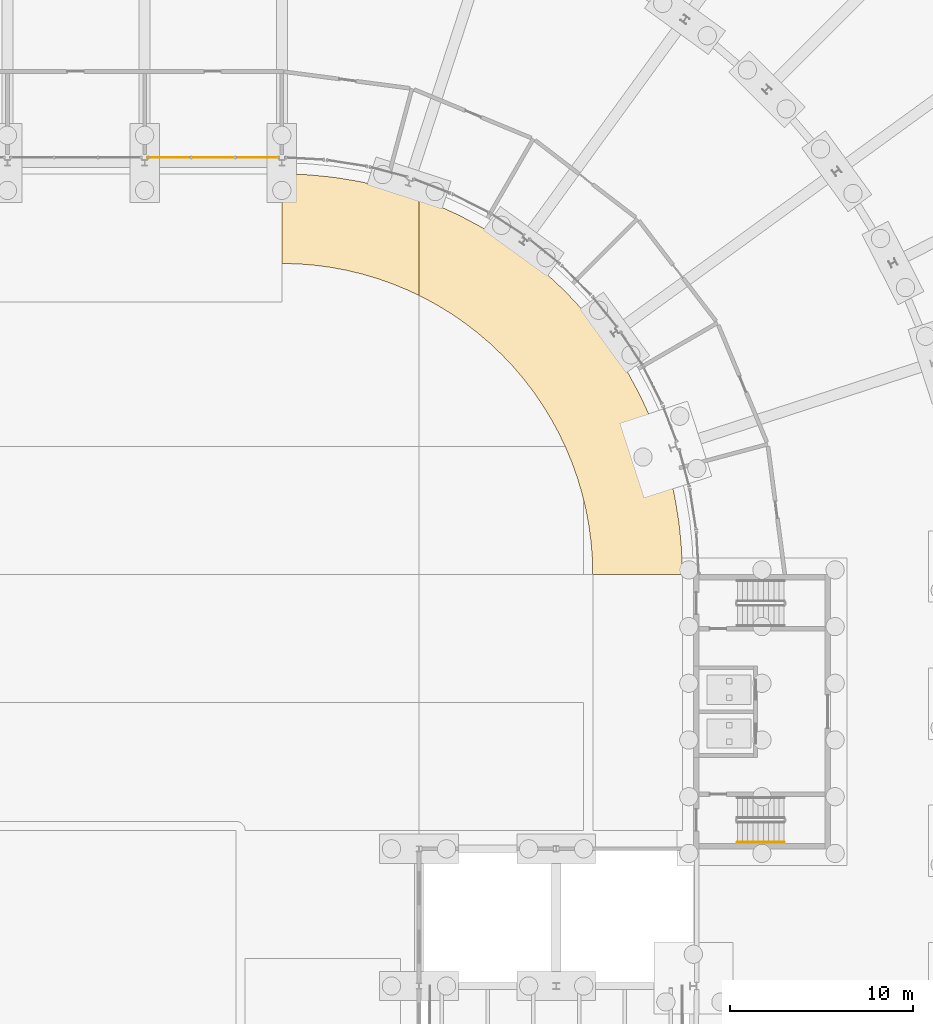
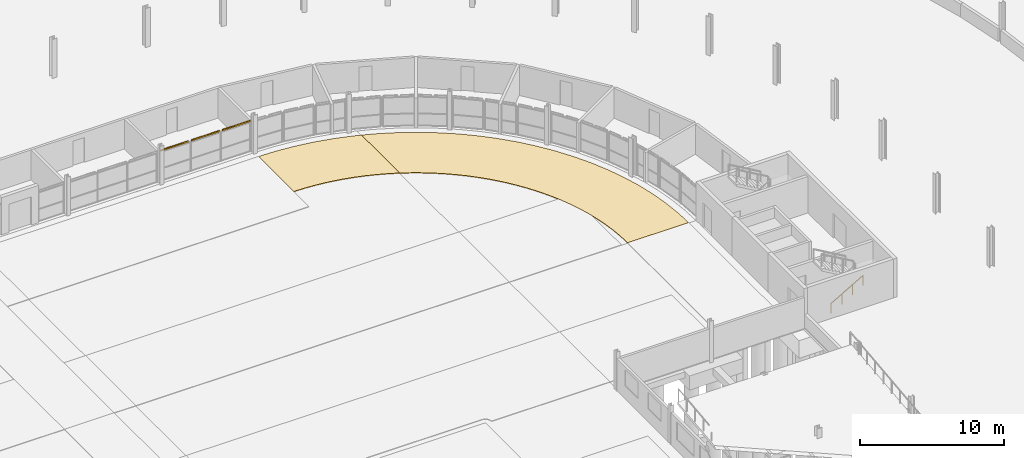
# One storey, part 123 of 130: 5 coverings, 1 railing.
"""IFC4 building model written with IfcOpenShell, lengths in metres."""

import ifcopenshell
import ifcopenshell.guid

model = None  # the IFC model being written
_history = None  # IfcOwnerHistory: only IFC2X3 demands one
_inside = {}  # id of a spatial element -> (the spatial element, [elements in it])
_under = {}  # id of a project, library or spatial element -> (it, [spatial elements below it])
_declared = {}  # id of a project -> (the project, [libraries it declares])
_typed = {}  # id of a type object -> (the type object, [elements of that type])
_made_of = {}  # id of a material, layer set ... -> (it, [elements and type objects made of it])


def new_model(schema):
    """Start an empty IFC model of exactly this schema.

    Asked for "IFC4X3", IfcOpenShell would pick the latest addendum, in which some entities
    have other attributes; the version numbers below select the first issue.
    IFC2X3 requires an IfcOwnerHistory on every rooted entity: one is made here for all.
    """
    global model, _history
    if schema == "IFC4X3":
        model = ifcopenshell.file(schema_version=(4, 3, 0, 0))
    else:
        model = ifcopenshell.file(schema=schema)
    _inside.clear()
    _under.clear()
    _declared.clear()
    _typed.clear()
    _made_of.clear()
    _history = None
    if model.schema == "IFC2X3":
        org = make("IfcOrganization", Name="unknown")
        user = make(
            "IfcPersonAndOrganization",
            ThePerson=make("IfcPerson", FamilyName="unknown"),
            TheOrganization=org,
        )
        app = make(
            "IfcApplication",
            ApplicationDeveloper=org,
            Version="unknown",
            ApplicationFullName="unknown",
            ApplicationIdentifier="unknown",
        )
        _history = make(
            "IfcOwnerHistory",
            OwningUser=user,
            OwningApplication=app,
            ChangeAction="ADDED",
            CreationDate=0,
        )
    return model


def make(cls, **values):
    """One entity of the class cls with the attributes given. An attribute that is None is left unset."""
    return model.create_entity(
        cls, **{name: value for name, value in values.items() if value is not None}
    )


def rooted(cls, **values):
    """An entity with a GlobalId (a new one), such as an element, a storey or a relation."""
    return make(cls, GlobalId=ifcopenshell.guid.new(), OwnerHistory=_history, **values)


def si_unit(unit_type, name, prefix=None):
    """IfcSIUnit, for example si_unit("LENGTHUNIT", "METRE", prefix="MILLI")."""
    return make("IfcSIUnit", UnitType=unit_type, Prefix=prefix, Name=name)


def assignment(units):
    """IfcUnitAssignment: the units of a project."""
    return None if units is None else make("IfcUnitAssignment", Units=units)


def point(xyz):
    """IfcCartesianPoint."""
    return None if xyz is None else make("IfcCartesianPoint", Coordinates=xyz)


def direction(xyz):
    """IfcDirection."""
    return None if xyz is None else make("IfcDirection", DirectionRatios=xyz)


def frame(location, z_axis=None, x_axis=None):
    """IfcAxis2Placement3D, a coordinate frame: its origin and axes. An axis left out is left unset."""
    return make(
        "IfcAxis2Placement3D",
        Location=point(location),
        Axis=direction(z_axis),
        RefDirection=direction(x_axis),
    )


def frame_2d(location, x_axis=None):
    """IfcAxis2Placement2D, a coordinate frame in the plane: its origin and x axis."""
    return make(
        "IfcAxis2Placement2D", Location=point(location), RefDirection=direction(x_axis)
    )


def origin():
    """The frame at (0, 0, 0) with its axes left unset."""
    return frame((0.0, 0.0, 0.0))


def origin_2d():
    """The frame at (0, 0) in the plane with its x axis left unset."""
    return frame_2d((0.0, 0.0))


def place(relative_to, where):
    """IfcLocalPlacement: puts the frame where relative to a parent placement (None: the world)."""
    return make(
        "IfcLocalPlacement", PlacementRelTo=relative_to, RelativePlacement=where
    )


def context(
    kind, dimensions, precision=None, world=None, true_north=None, identifier=None
):
    """IfcGeometricRepresentationContext, for example the 3D "Model" context."""
    return make(
        "IfcGeometricRepresentationContext",
        ContextIdentifier=identifier,
        ContextType=kind,
        CoordinateSpaceDimension=dimensions,
        Precision=precision,
        WorldCoordinateSystem=world,
        TrueNorth=true_north,
    )


def subcontext(parent, identifier, kind, view, scale=None):
    """IfcGeometricRepresentationSubContext, for example "Body" below "Model"."""
    return make(
        "IfcGeometricRepresentationSubContext",
        ContextIdentifier=identifier,
        ContextType=kind,
        ParentContext=parent,
        TargetScale=scale,
        TargetView=view,
    )


def project(units=None, contexts=None):
    """IfcProject with its units and contexts."""
    return rooted(
        "IfcProject",
        Name="project",
        RepresentationContexts=contexts,
        UnitsInContext=assignment(units),
    )


def spatial(cls, under=None, at=None, **own):
    """A site, building, storey or space (cls), placed at a placement, below another one or the project."""
    s = rooted(cls, ObjectPlacement=at, **own)
    if under is not None:
        _under.setdefault(under.id(), (under, []))[1].append(s)
    return s


def polyline(points):
    """IfcPolyline through the points."""
    return make("IfcPolyline", Points=[point(p) for p in points])


def profile(cls, at=None, kind="AREA", **sizes):
    """A parametric profile (cls). Its sizes go by their IFC names, for example OverallWidth=200.0."""
    return make(cls, ProfileType=kind, Position=at, **sizes)


def rectangle(**sizes):
    """IfcRectangleProfileDef."""
    return profile("IfcRectangleProfileDef", **sizes)


def circle(**sizes):
    """IfcCircleProfileDef."""
    return profile("IfcCircleProfileDef", **sizes)


def outline(outer, holes=None, kind="AREA"):
    """IfcArbitraryClosedProfileDef: a profile drawn as a closed curve; with holes, ...WithVoids."""
    if holes is None:
        return make("IfcArbitraryClosedProfileDef", ProfileType=kind, OuterCurve=outer)
    return make(
        "IfcArbitraryProfileDefWithVoids",
        ProfileType=kind,
        OuterCurve=outer,
        InnerCurves=holes,
    )


def extrude(swept, where, along, depth):
    """IfcExtrudedAreaSolid: the profile swept, set in the frame where, extruded along a direction by depth."""
    return make(
        "IfcExtrudedAreaSolid",
        SweptArea=swept,
        Position=where,
        ExtrudedDirection=direction(along),
        Depth=depth,
    )


def shape(context_of_items, identifier, shape_type, items):
    """IfcShapeRepresentation: the items that make up one representation, for example the "Body"."""
    return make(
        "IfcShapeRepresentation",
        ContextOfItems=context_of_items,
        RepresentationIdentifier=identifier,
        RepresentationType=shape_type,
        Items=items,
    )


def material(Name=None, Category=None):
    """IfcMaterial."""
    return make("IfcMaterial", Name=Name, Category=Category)


def layer(
    of_material, thickness, ventilated=None, Name=None, Category=None, Priority=None
):
    """IfcMaterialLayer: one layer of a wall or slab, of a material (None: an air gap)."""
    return make(
        "IfcMaterialLayer",
        Material=of_material,
        LayerThickness=thickness,
        IsVentilated=ventilated,
        Name=Name,
        Category=Category,
        Priority=Priority,
    )


def layer_set(layers, Name=None):
    """IfcMaterialLayerSet."""
    return make("IfcMaterialLayerSet", MaterialLayers=layers, LayerSetName=Name)


def made_of(thing, what):
    """Note that an element or type object is made of a material, layer set ...; save() writes the relation."""
    if what is not None:
        _made_of.setdefault(what.id(), (what, []))[1].append(thing)
    return thing


def type_object(cls, material=None, **own):
    """A type object (cls), such as IfcWallType, which elements share."""
    return made_of(rooted(cls, **own), material)


def element(
    cls,
    number,
    at=None,
    inside=None,
    cuts=None,
    type_object=None,
    material=None,
    context=None,
    identifier="Body",
    shape_type=None,
    held_by="IfcProductDefinitionShape",
    body=None,
    shapes=None,
    **own,
):
    """One element of the class cls, such as IfcWall. Its Tag is "e" and its number.

    at: its placement. inside: the storey or other place that contains it. cuts: it is an
    opening in that element (IfcRelVoidsElement). A single representation is given by context,
    identifier, shape_type and body (its items); several are given by shapes. held_by: the class
    of the entity that holds the representations. save() writes the other relations.
    """
    e = rooted(cls, Tag="e%d" % number, ObjectPlacement=at, **own)
    if body is not None:
        shapes = [shape(context, identifier, shape_type, body)]
    if shapes is not None:
        e.Representation = make(held_by, Representations=shapes)
    if inside is not None:
        _inside.setdefault(inside.id(), (inside, []))[1].append(e)
    if cuts is not None:
        rooted(
            "IfcRelVoidsElement", RelatingBuildingElement=cuts, RelatedOpeningElement=e
        )
    if type_object is not None:
        _typed.setdefault(type_object.id(), (type_object, []))[1].append(e)
    return made_of(e, material)


def aggregate(whole, parts):
    """IfcRelAggregates: a whole, such as a stair, and the parts it consists of."""
    return rooted("IfcRelAggregates", RelatingObject=whole, RelatedObjects=parts)


def save(model, path):
    """Write the relations noted so far, then the file.

    IfcRelAggregates (storeys below a building ...), IfcRelContainedInSpatialStructure (elements
    in a storey), IfcRelDefinesByType, IfcRelAssociatesMaterial and IfcRelDeclares: one each for
    every whole, place, type object, material and project.
    """
    for whole, parts in _under.values():
        aggregate(whole, parts)
    for where, things in _inside.values():
        rooted(
            "IfcRelContainedInSpatialStructure",
            RelatedElements=things,
            RelatingStructure=where,
        )
    for kind, things in _typed.values():
        rooted("IfcRelDefinesByType", RelatedObjects=things, RelatingType=kind)
    for what, things in _made_of.values():
        rooted("IfcRelAssociatesMaterial", RelatedObjects=things, RelatingMaterial=what)
    for by, libraries in _declared.values():
        rooted("IfcRelDeclares", RelatingContext=by, RelatedDefinitions=libraries)
    model.write(path)


model = new_model("IFC4")

# Units and contexts
model_context = context("Model", 3, precision=1e-05, world=origin(), true_north=direction((0.0, 1.0)))
body_context = subcontext(model_context, "Body", "Model", "MODEL_VIEW")
ifc_project = project(units=[si_unit("LENGTHUNIT", "METRE"), si_unit("AREAUNIT", "SQUARE_METRE"), si_unit("VOLUMEUNIT", "CUBIC_METRE"), si_unit("PLANEANGLEUNIT", "RADIAN"), si_unit("MASSUNIT", "GRAM", prefix="KILO")], contexts=[model_context])

# Site, building, storey
site_placement = place(None, origin())
site = spatial("IfcSite", under=ifc_project, at=site_placement, CompositionType="ELEMENT")
building_placement = place(site_placement, origin())
building = spatial("IfcBuilding", under=site, at=building_placement, Name="Parallax Yard Mobility Hub", CompositionType="ELEMENT")
storey_placement = place(building_placement, origin())
storey = spatial("IfcBuildingStorey", under=building, at=storey_placement, Name="L00", CompositionType="ELEMENT", Elevation=0.0)

# Coverings
ifc_material_1 = material(Name="Insulated aluminium spandrel panel", Category="aluminium")
ifc_layer_1 = layer(ifc_material_1, 0.028076171875)
ifc_layer_set_1 = layer_set([ifc_layer_1], Name="Curtain wall spandrel closer, insulated aluminium 28")
covering_type_1 = type_object("IfcCoveringType", Name="Curtain wall spandrel closer, insulated aluminium 28", PredefinedType="CLADDING", material=ifc_layer_set_1)
covering_1_placement = place(storey_placement, frame((166.2646484375, 112.800048828125, 2.5), z_axis=(0.0, 0.0, 1.0), x_axis=(1.0, 0.0, 0.0)))
element("IfcCovering", 1, at=covering_1_placement, inside=storey, type_object=covering_type_1, Name="Curtain wall CW23 level L00 bay 17 spandrel closer 1", ObjectType="SCREEN", PredefinedType="CLADDING", context=body_context, shape_type="SweptSolid", body=[
    extrude(rectangle(XDim=2.222412109375, YDim=0.028076171875, at=origin_2d()), origin(), (0.0, 0.0, 1.0), 0.126953125),
])
covering_2_placement = place(storey_placement, frame((168.75, 112.800048828125, 2.5), z_axis=(0.0, 0.0, 1.0), x_axis=(1.0, 0.0, 0.0)))
element("IfcCovering", 2, at=covering_2_placement, inside=storey, type_object=covering_type_1, Name="Curtain wall CW23 level L00 bay 17 spandrel closer 2", ObjectType="SCREEN", PredefinedType="CLADDING", context=body_context, shape_type="SweptSolid", body=[
    extrude(rectangle(XDim=2.251953125, YDim=0.028076171875, at=origin_2d()), origin(), (0.0, 0.0, 1.0), 0.126953125),
])
covering_3_placement = place(storey_placement, frame((171.2353515625, 112.800048828125, 2.5), z_axis=(0.0, 0.0, 1.0), x_axis=(1.0, 0.0, 0.0)))
element("IfcCovering", 3, at=covering_3_placement, inside=storey, type_object=covering_type_1, Name="Curtain wall CW23 level L00 bay 17 spandrel closer 3", ObjectType="SCREEN", PredefinedType="CLADDING", context=body_context, shape_type="SweptSolid", body=[
    extrude(rectangle(XDim=2.222412109375, YDim=0.028076171875, at=origin_2d()), origin(), (0.0, 0.0, 1.0), 0.126953125),
])
ifc_material_2 = material(Name="Concrete fc' 30 MPa", Category="concrete")
ifc_layer_2 = layer(ifc_material_2, 0.0400390625)
ifc_layer_set_2 = layer_set([ifc_layer_2], Name="Footway paving, Concrete fc' 30 MPa pavers 40")
covering_type_2 = type_object("IfcCoveringType", Name="Footway paving, Concrete fc' 30 MPa pavers 40", PredefinedType="USERDEFINED", material=ifc_layer_set_2)
covering_4_placement = place(storey_placement, origin())
element("IfcCovering", 4, at=covering_4_placement, inside=storey, type_object=covering_type_2, Name="Bend footway surfacing 1", ObjectType="PAVING", PredefinedType="USERDEFINED", context=body_context, shape_type="SweptSolid", body=[
    extrude(outline(polyline([(179.41455078125, 105.5302734375), (178.59228515625, 105.870849609375), (177.75341796875, 106.16796875), (176.89990234375, 106.420654296875), (176.034423828125, 106.62841796875), (175.159423828125, 106.790771484375), (174.277099609375, 106.906982421875), (173.3896484375, 106.976806640625), (172.5, 107.0), (172.5, 111.899658203125), (173.81689453125, 111.8564453125), (174.2001953125, 111.826416015625), (175.140380859375, 111.73388671875), (175.57470703125, 111.676513671875), (175.8916015625, 111.624267578125), (176.505615234375, 111.52294921875), (176.88525390625, 111.45263671875), (178.168212890625, 111.153564453125), (178.643310546875, 111.00927734375), (179.428955078125, 110.77099609375), (179.791748046875, 110.642578125), (180.0, 110.564208984375), (180.0, 105.2509765625), (179.41455078125, 105.5302734375)])), origin(), (0.0, 0.0, 1.0), 0.0400390625),
])
covering_5_placement = place(storey_placement, origin())
element("IfcCovering", 5, at=covering_5_placement, inside=storey, type_object=covering_type_2, Name="Bend footway surfacing 3", ObjectType="PAVING", PredefinedType="USERDEFINED", context=body_context, shape_type="SweptSolid", body=[
    extrude(outline(polyline([(189.476806640625, 90.8896484375), (189.406982421875, 91.777099609375), (189.290771484375, 92.659423828125), (189.12841796875, 93.534423828125), (188.920654296875, 94.39990234375), (188.66796875, 95.25341796875), (188.370849609375, 96.09228515625), (188.0302734375, 96.91455078125), (187.647216796875, 97.7177734375), (187.222412109375, 98.5), (186.75732421875, 99.2587890625), (186.25341796875, 99.9921875), (185.71142578125, 100.698486328125), (185.133544921875, 101.375244140625), (184.520751953125, 102.020751953125), (183.875244140625, 102.633544921875), (183.198486328125, 103.21142578125), (182.4921875, 103.75341796875), (181.7587890625, 104.25732421875), (181.0, 104.722412109375), (180.2177734375, 105.147216796875), (180.0, 105.2509765625), (180.0, 110.564208984375), (180.27978515625, 110.458740234375), (180.67529296875, 110.31005859375), (181.08056640625, 110.14208984375), (181.3662109375, 110.0126953125), (181.94091796875, 109.752197265625), (182.28759765625, 109.5869140625), (182.87890625, 109.27099609375), (183.44970703125, 108.9658203125), (184.568359375, 108.27001953125), (184.886474609375, 108.051513671875), (185.6533203125, 107.502197265625), (186.00146484375, 107.23486328125), (186.73046875, 106.636474609375), (187.02392578125, 106.3857421875), (187.802978515625, 105.65625), (187.9853515625, 105.4853515625), (188.15625, 105.302978515625), (188.8857421875, 104.52392578125), (189.136474609375, 104.23046875), (189.73486328125, 103.50146484375), (190.002197265625, 103.1533203125), (190.551513671875, 102.386474609375), (190.77001953125, 102.068359375), (191.4658203125, 100.94970703125), (191.77099609375, 100.37890625), (192.0869140625, 99.78759765625), (192.252197265625, 99.44091796875), (192.5126953125, 98.8662109375), (192.64208984375, 98.58056640625), (192.81005859375, 98.17529296875), (192.958740234375, 97.77978515625), (193.142578125, 97.291748046875), (193.27099609375, 96.928955078125), (193.50927734375, 96.143310546875), (193.653564453125, 95.668212890625), (193.95263671875, 94.38525390625), (194.02294921875, 94.005615234375), (194.124267578125, 93.3916015625), (194.176513671875, 93.07470703125), (194.23388671875, 92.640380859375), (194.326416015625, 91.7001953125), (194.3564453125, 91.31689453125), (194.399658203125, 90.0), (189.5, 90.0), (189.476806640625, 90.8896484375)])), origin(), (0.0, 0.0, 1.0), 0.0400390625),
])

# Railing
ifc_material_3 = material(Name="Steel ASTM A36", Category="steel")
railing_type = type_object("IfcRailingType", Name="Stair handrail", PredefinedType="HANDRAIL", material=ifc_material_3)
railing_placement = place(storey_placement, frame((197.39990234375, 75.35009765625, 0.1650390625)))
element("IfcRailing", 6, at=railing_placement, inside=storey, type_object=railing_type, Name="L00 ST7 stair handrail 1", PredefinedType="HANDRAIL", context=body_context, shape_type="SweptSolid", body=[
    extrude(circle(Radius=0.02392578125, at=origin_2d()), frame((0.0, 0.0, 0.8310546875), z_axis=(0.865461999751, 0.0, 0.500974577186), x_axis=(0.0, 1.0, 0.0)), (0.0, 0.0, 1.0), 2.9638671875),
    extrude(circle(Radius=0.02099609375, at=origin_2d()), origin(), (0.0, 0.0, 1.0), 0.806884765625),
    extrude(circle(Radius=0.02099609375, at=origin_2d()), frame((0.85498046875, 0.0, 0.494873046875)), (0.0, 0.0, 1.0), 0.806884765625),
    extrude(circle(Radius=0.02099609375, at=origin_2d()), frame((1.710205078125, 0.0, 0.989990234375)), (0.0, 0.0, 1.0), 0.806884765625),
    extrude(circle(Radius=0.02099609375, at=origin_2d()), frame((2.565185546875, 0.0, 1.48486328125)), (0.0, 0.0, 1.0), 0.806884765625),
])

save(model, "model.ifc")
